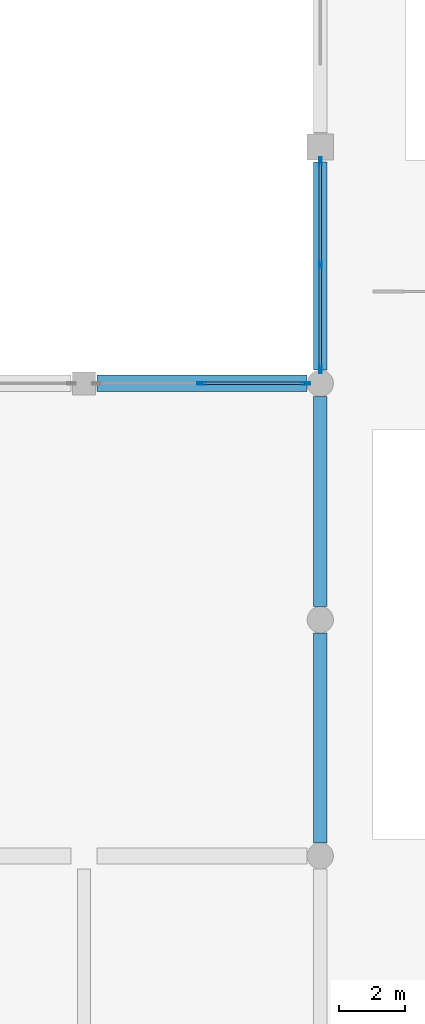
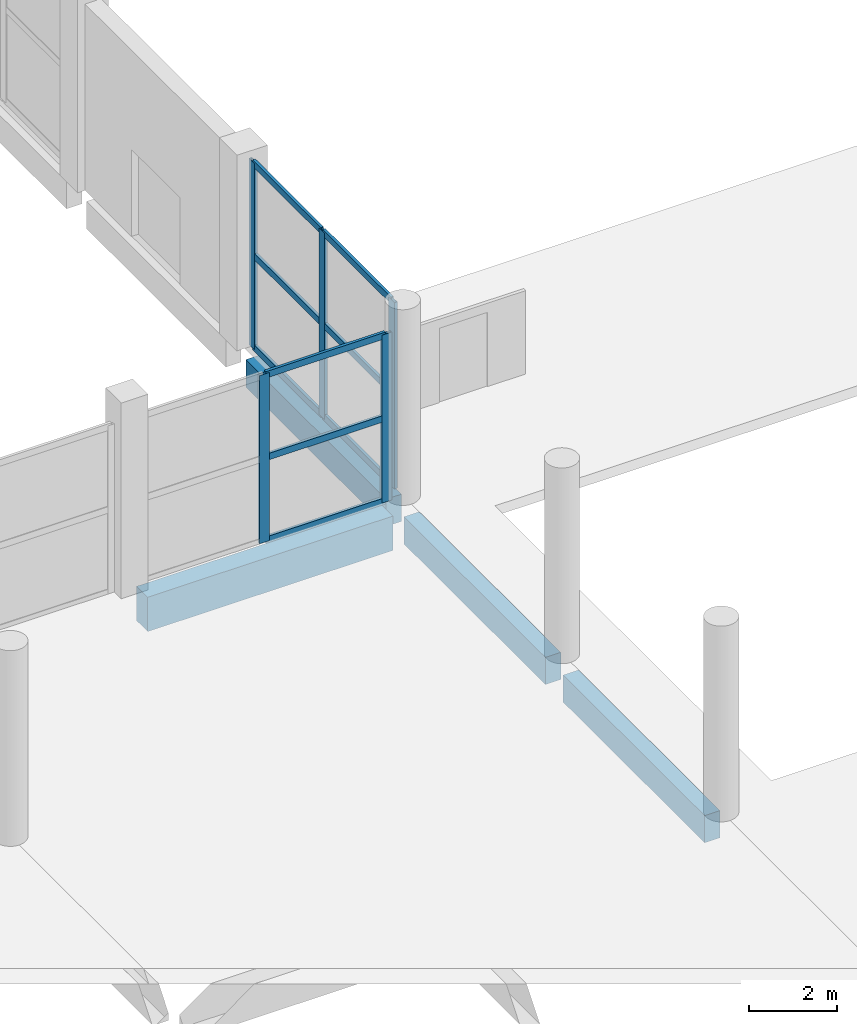
# One storey, part 30 of 70: 14 members, 4 beams, 2 elements without a shape of their own.
"""IFC4 building model written with IfcOpenShell, lengths in metres."""

from ifc_helpers import new_model, si_unit, direction, frame, origin, origin_2d, place, context, subcontext, project, spatial, rectangle, hollow_rectangle, extrude, material, material_profile, profile_set, type_object, element, aggregate, save


model = new_model("IFC4")

# Units and contexts
model_context = context("Model", 3, precision=1e-05, world=origin(), true_north=direction((0.0, 1.0)))
body_context = subcontext(model_context, "Body", "Model", "MODEL_VIEW")
ifc_project = project(units=[si_unit("LENGTHUNIT", "METRE"), si_unit("AREAUNIT", "SQUARE_METRE"), si_unit("VOLUMEUNIT", "CUBIC_METRE"), si_unit("PLANEANGLEUNIT", "RADIAN"), si_unit("MASSUNIT", "GRAM", prefix="KILO")], contexts=[model_context])

# Site, building, storey
site_placement = place(None, origin())
site = spatial("IfcSite", under=ifc_project, at=site_placement, CompositionType="ELEMENT")
building_placement = place(site_placement, origin())
building = spatial("IfcBuilding", under=site, at=building_placement, Name="Vesperath Aquatics Centre", CompositionType="ELEMENT")
storey_placement = place(building_placement, origin())
storey = spatial("IfcBuildingStorey", under=building, at=storey_placement, Name="L00", CompositionType="ELEMENT", Elevation=0.0)

# Beams
ifc_material_1 = material(Name="Concrete C40", Category="concrete")
ifc_material_profile_1 = material_profile(ifc_material_1, rectangle(XDim=0.5, YDim=0.949951171875, at=origin_2d()), Name="RC 500x950")
ifc_profile_set_1 = profile_set([ifc_material_profile_1], Name="Concrete C40")
beam_type_1 = type_object("IfcBeamType", Name="BM-G02", PredefinedType="BEAM", material=ifc_profile_set_1)
beam_1_placement = place(storey_placement, frame((108.39990234375, 86.39990234375, -0.7548828125), z_axis=(1.0, 0.0, 0.0), x_axis=(0.0, 1.0, 0.0)))
element("IfcBeam", 1, at=beam_1_placement, inside=storey, type_object=beam_type_1, Name="Floor Girder B02 L00 N 16-17", PredefinedType="BEAM", context=body_context, shape_type="SweptSolid", body=[
    extrude(rectangle(XDim=0.5, YDim=0.949951171875, at=origin_2d()), origin(), (0.0, 0.0, 1.0), 6.400146484375),
])
ifc_material_2 = material(Name="Concrete C35", Category="concrete")
ifc_material_profile_2 = material_profile(ifc_material_2, rectangle(XDim=0.39990234375, YDim=0.75, at=origin_2d()), Name="RC 400x750")
ifc_profile_set_2 = profile_set([ifc_material_profile_2], Name="Concrete C35")
beam_type_2 = type_object("IfcBeamType", Name="BM-G04", PredefinedType="BEAM", material=ifc_profile_set_2)
beam_2_placement = place(storey_placement, frame((115.199951171875, 72.39990234375, -0.655029296875), z_axis=(0.0, 1.0, 0.0), x_axis=(-1.0, 0.0, 0.0)))
element("IfcBeam", 2, at=beam_2_placement, inside=storey, type_object=beam_type_2, Name="Floor Girder B04 L00 17 L-M", PredefinedType="BEAM", context=body_context, shape_type="SweptSolid", body=[
    extrude(rectangle(XDim=0.39990234375, YDim=0.75, at=origin_2d()), origin(), (0.0, 0.0, 1.0), 6.400146484375),
])
beam_3_placement = place(storey_placement, frame((115.199951171875, 79.60009765625, -0.655029296875), z_axis=(0.0, 1.0, 0.0), x_axis=(-1.0, 0.0, 0.0)))
element("IfcBeam", 3, at=beam_3_placement, inside=storey, type_object=beam_type_2, Name="Floor Girder B04 L00 17 M-N", PredefinedType="BEAM", context=body_context, shape_type="SweptSolid", body=[
    extrude(rectangle(XDim=0.39990234375, YDim=0.75, at=origin_2d()), origin(), (0.0, 0.0, 1.0), 6.39990234375),
])
beam_4_placement = place(storey_placement, frame((115.199951171875, 86.800048828125, -0.655029296875), z_axis=(0.0, 1.0, 0.0), x_axis=(-1.0, 0.0, 0.0)))
element("IfcBeam", 4, at=beam_4_placement, inside=storey, type_object=beam_type_2, Name="Floor Girder B04 L00 17 N-P", PredefinedType="BEAM", context=body_context, shape_type="SweptSolid", body=[
    extrude(rectangle(XDim=0.39990234375, YDim=0.75, at=origin_2d()), origin(), (0.0, 0.0, 1.0), 6.349853515625),
])

# Curtain wall, members
ifc_material_3 = material(Name="Thermally broken anodised bronze aluminium curtain wall", Category="aluminium")
curtain_wall_type = type_object("IfcCurtainWallType", Name="CW-01", PredefinedType="NOTDEFINED", material=ifc_material_3)
curtain_wall_1_placement = place(storey_placement, origin())
curtain_wall_1 = element("IfcCurtainWall", 5, at=curtain_wall_1_placement, inside=storey, type_object=curtain_wall_type, Name="Facade Curtain Wall CW01 L00_N_15_12", PredefinedType="NOTDEFINED")
ifc_material_4 = material(Name="Thermally broken anodised aluminium", Category="aluminium")
ifc_material_profile_3 = material_profile(ifc_material_4, hollow_rectangle(XDim=0.074951171875, YDim=0.260009765625, WallThickness=0.006103515625, at=origin_2d()), Name="CWM 75x260x6")
ifc_profile_set_3 = profile_set([ifc_material_profile_3], Name="Thermally broken anodised aluminium")
member_type_1 = type_object("IfcMemberType", Name="MB-CWM1", PredefinedType="MULLION", material=ifc_profile_set_3)
member_1_placement = place(storey_placement, frame((111.574951171875, 86.39990234375, 0.0), z_axis=(0.0, 0.0, 1.0), x_axis=(0.0, 1.0, 0.0)))
member_1 = element("IfcMember", 6, at=member_1_placement, type_object=member_type_1, Name="CW01 mullion 2", PredefinedType="MULLION", context=body_context, shape_type="SweptSolid", body=[
    extrude(hollow_rectangle(XDim=0.074951171875, YDim=0.260009765625, WallThickness=0.006103515625, at=origin_2d()), origin(), (0.0, 0.0, 1.0), 4.639892578125),
])
member_2_placement = place(storey_placement, frame((114.762451171875, 86.39990234375, 0.0), z_axis=(0.0, 0.0, 1.0), x_axis=(0.0, 1.0, 0.0)))
member_2 = element("IfcMember", 7, at=member_2_placement, type_object=member_type_1, Name="CW01 mullion 3", PredefinedType="MULLION", context=body_context, shape_type="SweptSolid", body=[
    extrude(hollow_rectangle(XDim=0.074951171875, YDim=0.260009765625, WallThickness=0.006103515625, at=origin_2d()), origin(), (0.0, 0.0, 1.0), 4.639892578125),
])

curtain_wall_2_placement = place(storey_placement, origin())
curtain_wall_2 = element("IfcCurtainWall", 8, at=curtain_wall_2_placement, inside=storey, type_object=curtain_wall_type, Name="Facade Curtain Wall CW01 L00_W_16_12", PredefinedType="NOTDEFINED")
member_3_placement = place(storey_placement, frame((115.199951171875, 86.83740234375, 0.0), z_axis=(0.0, 0.0, 1.0), x_axis=(-1.0, 0.0, 0.0)))
member_3 = element("IfcMember", 9, at=member_3_placement, type_object=member_type_1, Name="CW01 mullion 1", PredefinedType="MULLION", context=body_context, shape_type="SweptSolid", body=[
    extrude(hollow_rectangle(XDim=0.074951171875, YDim=0.260009765625, WallThickness=0.006103515625, at=origin_2d()), origin(), (0.0, 0.0, 1.0), 5.139892578125),
])
member_4_placement = place(storey_placement, frame((115.199951171875, 90.0, 0.0), z_axis=(0.0, 0.0, 1.0), x_axis=(-1.0, 0.0, 0.0)))
member_4 = element("IfcMember", 10, at=member_4_placement, type_object=member_type_1, Name="CW01 mullion 2", PredefinedType="MULLION", context=body_context, shape_type="SweptSolid", body=[
    extrude(hollow_rectangle(XDim=0.074951171875, YDim=0.260009765625, WallThickness=0.006103515625, at=origin_2d()), origin(), (0.0, 0.0, 1.0), 5.139892578125),
])
member_5_placement = place(storey_placement, frame((115.199951171875, 93.16259765625, 0.0), z_axis=(0.0, 0.0, 1.0), x_axis=(-1.0, 0.0, 0.0)))
member_5 = element("IfcMember", 11, at=member_5_placement, type_object=member_type_1, Name="CW01 mullion 3", PredefinedType="MULLION", context=body_context, shape_type="SweptSolid", body=[
    extrude(hollow_rectangle(XDim=0.074951171875, YDim=0.260009765625, WallThickness=0.006103515625, at=origin_2d()), origin(), (0.0, 0.0, 1.0), 5.139892578125),
])

# Member
ifc_material_profile_4 = material_profile(ifc_material_4, hollow_rectangle(XDim=0.074951171875, YDim=0.179931640625, WallThickness=0.0048828125, at=origin_2d()), Name="CWT 75x180x5")
ifc_profile_set_4 = profile_set([ifc_material_profile_4], Name="Thermally broken anodised aluminium")
member_type_2 = type_object("IfcMemberType", Name="MB-CWT1", PredefinedType="USERDEFINED", material=ifc_profile_set_4)
member_6_placement = place(storey_placement, frame((111.612548828125, 86.39990234375, 0.03759765625), z_axis=(1.0, 0.0, 0.0), x_axis=(0.0, 1.0, 0.0)))
member_6 = element("IfcMember", 12, at=member_6_placement, type_object=member_type_2, Name="CW01 transom 2.1", ObjectType="TRANSOM", PredefinedType="USERDEFINED", context=body_context, shape_type="SweptSolid", body=[
    extrude(hollow_rectangle(XDim=0.074951171875, YDim=0.179931640625, WallThickness=0.0048828125, at=origin_2d()), origin(), (0.0, 0.0, 1.0), 3.112548828125),
])

member_7_placement = place(storey_placement, frame((111.612548828125, 86.39990234375, 2.320068359375), z_axis=(1.0, 0.0, 0.0), x_axis=(0.0, 1.0, 0.0)))
member_7 = element("IfcMember", 13, at=member_7_placement, type_object=member_type_2, Name="CW01 transom 2.2", ObjectType="TRANSOM", PredefinedType="USERDEFINED", context=body_context, shape_type="SweptSolid", body=[
    extrude(hollow_rectangle(XDim=0.074951171875, YDim=0.179931640625, WallThickness=0.0048828125, at=origin_2d()), origin(), (0.0, 0.0, 1.0), 3.112548828125),
])

member_8_placement = place(storey_placement, frame((111.612548828125, 86.39990234375, 4.6025390625), z_axis=(1.0, 0.0, 0.0), x_axis=(0.0, 1.0, 0.0)))
member_8 = element("IfcMember", 14, at=member_8_placement, type_object=member_type_2, Name="CW01 transom 2.3", ObjectType="TRANSOM", PredefinedType="USERDEFINED", context=body_context, shape_type="SweptSolid", body=[
    extrude(hollow_rectangle(XDim=0.074951171875, YDim=0.179931640625, WallThickness=0.0048828125, at=origin_2d()), origin(), (0.0, 0.0, 1.0), 3.112548828125),
])

aggregate(curtain_wall_1, [member_1, member_2, member_6, member_7, member_8])

member_9_placement = place(storey_placement, frame((115.199951171875, 86.875, 0.03759765625), z_axis=(0.0, 1.0, 0.0), x_axis=(-1.0, 0.0, 0.0)))
member_9 = element("IfcMember", 15, at=member_9_placement, type_object=member_type_2, Name="CW01 transom 1.1", ObjectType="TRANSOM", PredefinedType="USERDEFINED", context=body_context, shape_type="SweptSolid", body=[
    extrude(hollow_rectangle(XDim=0.074951171875, YDim=0.179931640625, WallThickness=0.0048828125, at=origin_2d()), origin(), (0.0, 0.0, 1.0), 3.08740234375),
])

member_10_placement = place(storey_placement, frame((115.199951171875, 86.875, 2.570068359375), z_axis=(0.0, 1.0, 0.0), x_axis=(-1.0, 0.0, 0.0)))
member_10 = element("IfcMember", 16, at=member_10_placement, type_object=member_type_2, Name="CW01 transom 1.2", ObjectType="TRANSOM", PredefinedType="USERDEFINED", context=body_context, shape_type="SweptSolid", body=[
    extrude(hollow_rectangle(XDim=0.074951171875, YDim=0.179931640625, WallThickness=0.0048828125, at=origin_2d()), origin(), (0.0, 0.0, 1.0), 3.08740234375),
])

member_11_placement = place(storey_placement, frame((115.199951171875, 86.875, 5.1025390625), z_axis=(0.0, 1.0, 0.0), x_axis=(-1.0, 0.0, 0.0)))
member_11 = element("IfcMember", 17, at=member_11_placement, type_object=member_type_2, Name="CW01 transom 1.3", ObjectType="TRANSOM", PredefinedType="USERDEFINED", context=body_context, shape_type="SweptSolid", body=[
    extrude(hollow_rectangle(XDim=0.074951171875, YDim=0.179931640625, WallThickness=0.0048828125, at=origin_2d()), origin(), (0.0, 0.0, 1.0), 3.08740234375),
])

member_12_placement = place(storey_placement, frame((115.199951171875, 90.03759765625, 0.03759765625), z_axis=(0.0, 1.0, 0.0), x_axis=(-1.0, 0.0, 0.0)))
member_12 = element("IfcMember", 18, at=member_12_placement, type_object=member_type_2, Name="CW01 transom 2.1", ObjectType="TRANSOM", PredefinedType="USERDEFINED", context=body_context, shape_type="SweptSolid", body=[
    extrude(hollow_rectangle(XDim=0.074951171875, YDim=0.179931640625, WallThickness=0.0048828125, at=origin_2d()), origin(), (0.0, 0.0, 1.0), 3.08740234375),
])

member_13_placement = place(storey_placement, frame((115.199951171875, 90.03759765625, 2.570068359375), z_axis=(0.0, 1.0, 0.0), x_axis=(-1.0, 0.0, 0.0)))
member_13 = element("IfcMember", 19, at=member_13_placement, type_object=member_type_2, Name="CW01 transom 2.2", ObjectType="TRANSOM", PredefinedType="USERDEFINED", context=body_context, shape_type="SweptSolid", body=[
    extrude(hollow_rectangle(XDim=0.074951171875, YDim=0.179931640625, WallThickness=0.0048828125, at=origin_2d()), origin(), (0.0, 0.0, 1.0), 3.08740234375),
])

member_14_placement = place(storey_placement, frame((115.199951171875, 90.03759765625, 5.1025390625), z_axis=(0.0, 1.0, 0.0), x_axis=(-1.0, 0.0, 0.0)))
member_14 = element("IfcMember", 20, at=member_14_placement, type_object=member_type_2, Name="CW01 transom 2.3", ObjectType="TRANSOM", PredefinedType="USERDEFINED", context=body_context, shape_type="SweptSolid", body=[
    extrude(hollow_rectangle(XDim=0.074951171875, YDim=0.179931640625, WallThickness=0.0048828125, at=origin_2d()), origin(), (0.0, 0.0, 1.0), 3.08740234375),
])

aggregate(curtain_wall_2, [member_3, member_4, member_5, member_9, member_10, member_11, member_12, member_13, member_14])

save(model, "model.ifc")
